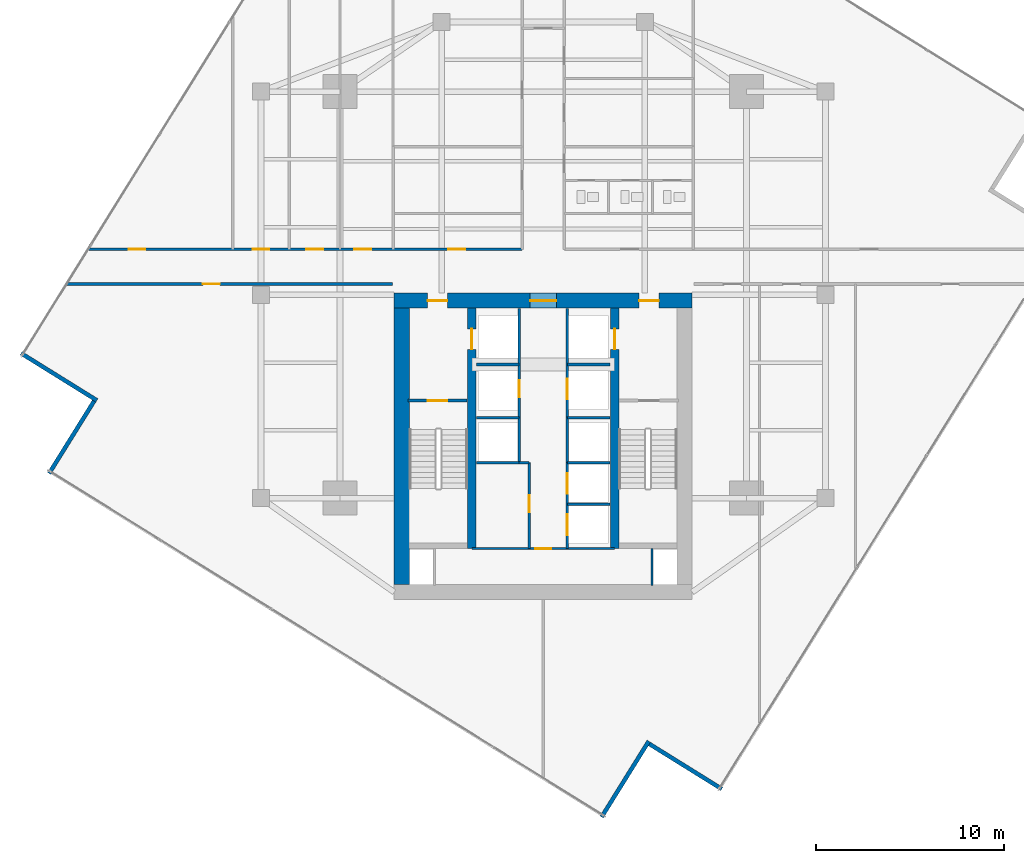
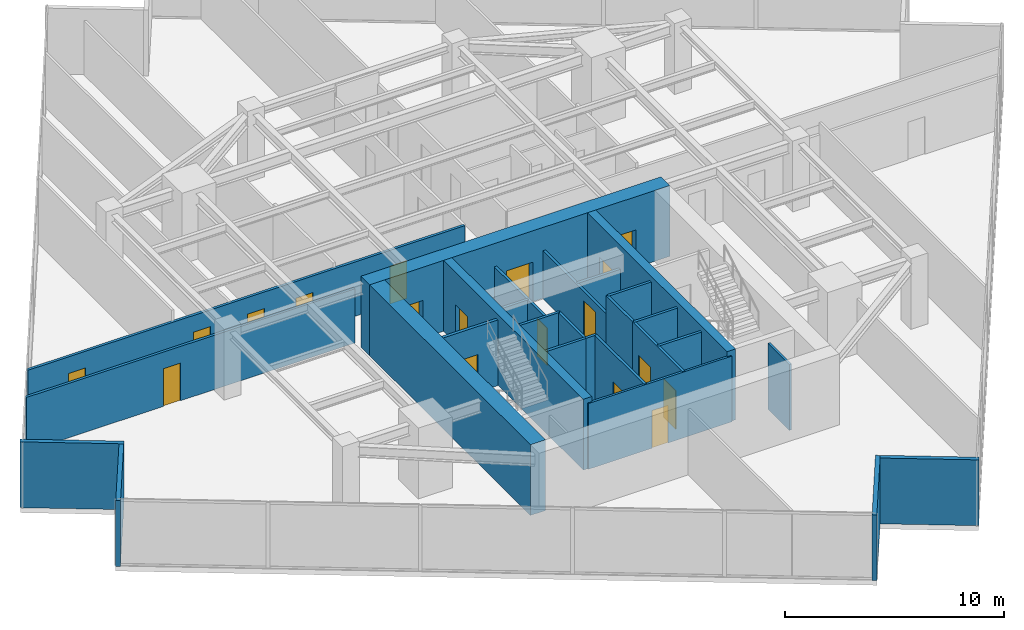
# One storey, part 21 of 25: 27 walls, 18 doors, 18 openings.
"""IFC4 building model written with IfcOpenShell, lengths in metres."""

from ifc_helpers import new_model, si_unit, direction, frame, frame_2d, origin, place, context, subcontext, project, spatial, rectangle, extrude, material, layer, layer_set, type_object, element, fill, save


model = new_model("IFC4")

# Units and contexts
model_context = context("Model", 3, precision=1e-05, world=origin(), true_north=direction((0.0, 1.0)))
body_context = subcontext(model_context, "Body", "Model", "MODEL_VIEW")
ifc_project = project(units=[si_unit("LENGTHUNIT", "METRE"), si_unit("AREAUNIT", "SQUARE_METRE"), si_unit("VOLUMEUNIT", "CUBIC_METRE"), si_unit("PLANEANGLEUNIT", "RADIAN"), si_unit("MASSUNIT", "GRAM", prefix="KILO")], contexts=[model_context])

# Site, building, storey
site_placement = place(None, origin())
site = spatial("IfcSite", under=ifc_project, at=site_placement, CompositionType="ELEMENT")
building_placement = place(site_placement, origin())
building = spatial("IfcBuilding", under=site, at=building_placement, Name="Krantzveldt Concourse Tower", CompositionType="ELEMENT")
storey_placement = place(building_placement, frame((0.0, 0.0, 177.800048828125)))
storey = spatial("IfcBuildingStorey", under=building, at=storey_placement, Name="L43", CompositionType="ELEMENT", Elevation=177.800048828125)

# Walls
ifc_material_1 = material(Name="Anodised aluminium 6063-T6", Category="aluminium")
ifc_layer_1 = layer(ifc_material_1, 0.219970703125, Name="Anodised aluminium 6063-T6", Category="aluminium")
ifc_layer_set_1 = layer_set([ifc_layer_1], Name="Anodised aluminium 6063-T6 (WL-EXT-NOTCH220)")
wall_type_1 = type_object("IfcWallType", Name="WL-EXT-NOTCH220", PredefinedType="ELEMENTEDWALL", material=ifc_layer_set_1)
wall_1_placement = place(storey_placement, frame((8.2509765625, 23.59521484375, 0.0), z_axis=(0.0, 0.0, 1.0), x_axis=(0.84921299194, -0.528050465694, 0.0)))
element("IfcWall", 1, at=wall_1_placement, inside=storey, type_object=wall_type_1, Name="EW-L43-NCH02", PredefinedType="ELEMENTEDWALL", context=body_context, shape_type="SweptSolid", body=[
    extrude(rectangle(XDim=4.7451171875, YDim=0.219970703125, at=frame_2d((2.37255859375, 0.0))), origin(), (0.0, 0.0, 1.0), 3.669921875),
])
wall_2_placement = place(storey_placement, frame((12.12890625, 21.05419921875, 0.0), z_axis=(0.0, 0.0, 1.0), x_axis=(-0.528038242514, -0.849220592333, 0.0)))
element("IfcWall", 2, at=wall_2_placement, inside=storey, type_object=wall_type_1, Name="EW-L43-NCH03", PredefinedType="ELEMENTEDWALL", context=body_context, shape_type="SweptSolid", body=[
    extrude(rectangle(XDim=4.525146484375, YDim=0.219970703125, at=frame_2d((2.2626953125, 0.0))), origin(), (0.0, 0.0, 1.0), 3.669921875),
])
wall_3_placement = place(storey_placement, frame((39.104736328125, -1.049072265625, 0.0), z_axis=(0.0, 0.0, 1.0), x_axis=(0.528087569346, 0.849189919336, 0.0)))
element("IfcWall", 3, at=wall_3_placement, inside=storey, type_object=wall_type_1, Name="EW-L43-NCH05", PredefinedType="ELEMENTEDWALL", context=body_context, shape_type="SweptSolid", body=[
    extrude(rectangle(XDim=4.7451171875, YDim=0.219970703125, at=frame_2d((2.37255859375, 0.0))), origin(), (0.0, 0.0, 1.0), 3.669921875),
])
wall_4_placement = place(storey_placement, frame((41.645751953125, 2.828857421875, 0.0), z_axis=(0.0, 0.0, 1.0), x_axis=(0.849220592333, -0.528038242514, 0.0)))
element("IfcWall", 4, at=wall_4_placement, inside=storey, type_object=wall_type_1, Name="EW-L43-NCH06", PredefinedType="ELEMENTEDWALL", context=body_context, shape_type="SweptSolid", body=[
    extrude(rectangle(XDim=4.525146484375, YDim=0.219970703125, at=frame_2d((2.2626953125, 0.0))), origin(), (0.0, 0.0, 1.0), 3.669921875),
])

# Wall, opening, door
ifc_material_2 = material(Name="Fire-rated gypsum plasterboard on steel stud", Category="steel")
ifc_layer_2 = layer(ifc_material_2, 0.1201171875, Name="Fire-rated gypsum plasterboard on steel stud", Category="steel")
ifc_layer_set_2 = layer_set([ifc_layer_2], Name="Fire-rated gypsum plasterboard on steel stud (WL-PART-120)")
wall_type_2 = type_object("IfcWallType", Name="WL-PART-120", PredefinedType="PARTITIONING", material=ifc_layer_set_2)
wall_5_placement = place(storey_placement, frame((32.2099609375, 13.219970703125, 0.0), z_axis=(0.0, 0.0, 1.0), x_axis=(1.0, 0.0, 0.0)))
wall_5 = element("IfcWall", 5, at=wall_5_placement, inside=storey, type_object=wall_type_2, Name="WP-L43-CS2H", PredefinedType="PARTITIONING", context=body_context, shape_type="SweptSolid", body=[
    extrude(rectangle(XDim=7.580078125, YDim=0.1201171875, at=frame_2d((3.7900390625, 0.0))), origin(), (0.0, 0.0, 1.0), 3.669921875),
])
opening_1_placement = place(wall_5_placement, frame((3.364990234375, 0.0, 0.0)))
opening_1 = element("IfcOpeningElement", 6, at=opening_1_placement, cuts=wall_5, Name="Opening D-IN085", PredefinedType="OPENING", context=body_context, shape_type="SweptSolid", body=[
    extrude(rectangle(XDim=0.85009765625, YDim=2.10009765625, at=frame_2d((0.425048828125, 1.050048828125))), frame((0.0, 0.070068359375, 0.0), z_axis=(0.0, -1.0, 0.0), x_axis=(1.0, 0.0, 0.0)), (0.0, 0.0, 1.0), 0.14013671875),
])
ifc_material_3 = material(Name="Hardwood timber", Category="wood")
door_type_1 = type_object("IfcDoorType", Name="DR-INT-850", OperationType="SINGLE_SWING_LEFT", PredefinedType="DOOR", material=ifc_material_3)
door_1_placement = place(opening_1_placement, origin())
door_1 = element("IfcDoor", 7, at=door_1_placement, inside=storey, type_object=door_type_1, Name="DR-L43-CSC1", OperationType="SINGLE_SWING_RIGHT", OverallHeight=2.10009765625, OverallWidth=0.85009765625, PredefinedType="DOOR", context=body_context, shape_type="SweptSolid", body=[
    extrude(rectangle(XDim=0.85009765625, YDim=2.10009765625, at=frame_2d((0.425048828125, 1.050048828125))), frame((0.0, 0.02490234375, 0.0), z_axis=(0.0, -1.0, 0.0), x_axis=(1.0, 0.0, 0.0)), (0.0, 0.0, 1.0), 0.050048828125),
])
fill(opening_1, door_1)

# Wall, openings, doors
ifc_layer_3 = layer(ifc_material_2, 0.139892578125, Name="Fire-rated gypsum plasterboard on steel stud", Category="steel")
ifc_layer_set_3 = layer_set([ifc_layer_3], Name="Fire-rated gypsum plasterboard on steel stud (WL-PART-140)")
wall_type_3 = type_object("IfcWallType", Name="WL-PART-140", PredefinedType="PARTITIONING", material=ifc_layer_set_3)
wall_6_placement = place(storey_placement, frame((11.822021484375, 29.1201171875, 0.0), z_axis=(0.0, 0.0, 1.0), x_axis=(1.0, 0.0, 0.0)))
wall_6 = element("IfcWall", 8, at=wall_6_placement, inside=storey, type_object=wall_type_3, Name="WP-L43-EWNL", PredefinedType="PARTITIONING", context=body_context, shape_type="SweptSolid", body=[
    extrude(rectangle(XDim=23.057861328125, YDim=0.139892578125, at=frame_2d((11.52880859375, 0.0))), origin(), (0.0, 0.0, 1.0), 3.030029296875),
])
opening_2_placement = place(wall_6_placement, frame((19.128173828125, 0.0, 0.0)))
opening_2 = element("IfcOpeningElement", 9, at=opening_2_placement, cuts=wall_6, Name="Opening D-IN090", PredefinedType="OPENING", context=body_context, shape_type="SweptSolid", body=[
    extrude(rectangle(XDim=0.89990234375, YDim=2.10009765625, at=frame_2d((0.449951171875, 1.050048828125))), frame((0.0, 0.080078125, 0.0), z_axis=(0.0, -1.0, 0.0), x_axis=(1.0, 0.0, 0.0)), (0.0, 0.0, 1.0), 0.159912109375),
])
opening_3_placement = place(wall_6_placement, frame((2.13720703125, 0.0, 0.0)))
opening_3 = element("IfcOpeningElement", 10, at=opening_3_placement, cuts=wall_6, Name="Opening D-IN090", PredefinedType="OPENING", context=body_context, shape_type="SweptSolid", body=[
    extrude(rectangle(XDim=0.89990234375, YDim=2.10009765625, at=frame_2d((0.449951171875, 1.050048828125))), frame((0.0, 0.080078125, 0.0), z_axis=(0.0, -1.0, 0.0), x_axis=(1.0, 0.0, 0.0)), (0.0, 0.0, 1.0), 0.159912109375),
])
opening_4_placement = place(wall_6_placement, frame((8.72802734375, 0.0, 0.0)))
opening_4 = element("IfcOpeningElement", 11, at=opening_4_placement, cuts=wall_6, Name="Opening D-IN090", PredefinedType="OPENING", context=body_context, shape_type="SweptSolid", body=[
    extrude(rectangle(XDim=0.89990234375, YDim=2.10009765625, at=frame_2d((0.449951171875, 1.050048828125))), frame((0.0, 0.080078125, 0.0), z_axis=(0.0, -1.0, 0.0), x_axis=(1.0, 0.0, 0.0)), (0.0, 0.0, 1.0), 0.159912109375),
])
opening_5_placement = place(wall_6_placement, frame((11.578125, 0.0, 0.0)))
opening_5 = element("IfcOpeningElement", 12, at=opening_5_placement, cuts=wall_6, Name="Opening D-IN090", PredefinedType="OPENING", context=body_context, shape_type="SweptSolid", body=[
    extrude(rectangle(XDim=0.89990234375, YDim=2.10009765625, at=frame_2d((0.449951171875, 1.050048828125))), frame((0.0, 0.080078125, 0.0), z_axis=(0.0, -1.0, 0.0), x_axis=(1.0, 0.0, 0.0)), (0.0, 0.0, 1.0), 0.159912109375),
])
opening_6_placement = place(wall_6_placement, frame((14.128173828125, 0.0, 0.0)))
opening_6 = element("IfcOpeningElement", 13, at=opening_6_placement, cuts=wall_6, Name="Opening D-IN090", PredefinedType="OPENING", context=body_context, shape_type="SweptSolid", body=[
    extrude(rectangle(XDim=0.89990234375, YDim=2.10009765625, at=frame_2d((0.449951171875, 1.050048828125))), frame((0.0, 0.080078125, 0.0), z_axis=(0.0, -1.0, 0.0), x_axis=(1.0, 0.0, 0.0)), (0.0, 0.0, 1.0), 0.159912109375),
])
door_type_2 = type_object("IfcDoorType", Name="DR-INT-900", OperationType="SINGLE_SWING_LEFT", PredefinedType="DOOR", material=ifc_material_3)
door_2_placement = place(opening_2_placement, origin())
door_2 = element("IfcDoor", 14, at=door_2_placement, inside=storey, type_object=door_type_2, Name="DR-L43-ALCL", OperationType="SINGLE_SWING_LEFT", OverallHeight=2.10009765625, OverallWidth=0.89990234375, PredefinedType="DOOR", context=body_context, shape_type="SweptSolid", body=[
    extrude(rectangle(XDim=0.89990234375, YDim=2.10009765625, at=frame_2d((0.449951171875, 1.050048828125))), frame((0.0, 0.02490234375, 0.0), z_axis=(0.0, -1.0, 0.0), x_axis=(1.0, 0.0, 0.0)), (0.0, 0.0, 1.0), 0.050048828125),
])
fill(opening_2, door_2)
door_3_placement = place(opening_3_placement, origin())
door_3 = element("IfcDoor", 15, at=door_3_placement, inside=storey, type_object=door_type_2, Name="DR-L43-NWX1", OperationType="SINGLE_SWING_LEFT", OverallHeight=2.10009765625, OverallWidth=0.89990234375, PredefinedType="DOOR", context=body_context, shape_type="SweptSolid", body=[
    extrude(rectangle(XDim=0.89990234375, YDim=2.10009765625, at=frame_2d((0.449951171875, 1.050048828125))), frame((0.0, 0.02490234375, 0.0), z_axis=(0.0, -1.0, 0.0), x_axis=(1.0, 0.0, 0.0)), (0.0, 0.0, 1.0), 0.050048828125),
])
fill(opening_3, door_3)
door_4_placement = place(opening_4_placement, origin())
door_4 = element("IfcDoor", 16, at=door_4_placement, inside=storey, type_object=door_type_2, Name="DR-L43-NWX2", OperationType="SINGLE_SWING_LEFT", OverallHeight=2.10009765625, OverallWidth=0.89990234375, PredefinedType="DOOR", context=body_context, shape_type="SweptSolid", body=[
    extrude(rectangle(XDim=0.89990234375, YDim=2.10009765625, at=frame_2d((0.449951171875, 1.050048828125))), frame((0.0, 0.02490234375, 0.0), z_axis=(0.0, -1.0, 0.0), x_axis=(1.0, 0.0, 0.0)), (0.0, 0.0, 1.0), 0.050048828125),
])
fill(opening_4, door_4)
door_5_placement = place(opening_5_placement, origin())
door_5 = element("IfcDoor", 17, at=door_5_placement, inside=storey, type_object=door_type_2, Name="DR-L43-NWX3", OperationType="SINGLE_SWING_LEFT", OverallHeight=2.10009765625, OverallWidth=0.89990234375, PredefinedType="DOOR", context=body_context, shape_type="SweptSolid", body=[
    extrude(rectangle(XDim=0.89990234375, YDim=2.10009765625, at=frame_2d((0.449951171875, 1.050048828125))), frame((0.0, 0.02490234375, 0.0), z_axis=(0.0, -1.0, 0.0), x_axis=(1.0, 0.0, 0.0)), (0.0, 0.0, 1.0), 0.050048828125),
])
fill(opening_5, door_5)
door_6_placement = place(opening_6_placement, origin())
door_6 = element("IfcDoor", 18, at=door_6_placement, inside=storey, type_object=door_type_2, Name="DR-L43-NWX4", OperationType="SINGLE_SWING_LEFT", OverallHeight=2.10009765625, OverallWidth=0.89990234375, PredefinedType="DOOR", context=body_context, shape_type="SweptSolid", body=[
    extrude(rectangle(XDim=0.89990234375, YDim=2.10009765625, at=frame_2d((0.449951171875, 1.050048828125))), frame((0.0, 0.02490234375, 0.0), z_axis=(0.0, -1.0, 0.0), x_axis=(1.0, 0.0, 0.0)), (0.0, 0.0, 1.0), 0.050048828125),
])
fill(opening_6, door_6)

# Wall, opening, door
wall_7_placement = place(storey_placement, frame((10.677734375, 27.280029296875, 0.0), z_axis=(0.0, 0.0, 1.0), x_axis=(1.0, 0.0, 0.0)))
wall_7 = element("IfcWall", 19, at=wall_7_placement, inside=storey, type_object=wall_type_3, Name="WP-L43-EWSL", PredefinedType="PARTITIONING", context=body_context, shape_type="SweptSolid", body=[
    extrude(rectangle(XDim=17.322265625, YDim=0.139892578125, at=frame_2d((8.6611328125, 0.0))), origin(), (0.0, 0.0, 1.0), 3.030029296875),
])
opening_7_placement = place(wall_7_placement, frame((7.231201171875, 0.0, 0.0)))
opening_7 = element("IfcOpeningElement", 20, at=opening_7_placement, cuts=wall_7, Name="Opening D-IN090", PredefinedType="OPENING", context=body_context, shape_type="SweptSolid", body=[
    extrude(rectangle(XDim=0.89990234375, YDim=2.10009765625, at=frame_2d((0.449951171875, 1.050048828125))), frame((0.0, 0.080078125, 0.0), z_axis=(0.0, -1.0, 0.0), x_axis=(1.0, 0.0, 0.0)), (0.0, 0.0, 1.0), 0.159912109375),
])
door_7_placement = place(opening_7_placement, origin())
door_7 = element("IfcDoor", 21, at=door_7_placement, inside=storey, type_object=door_type_2, Name="DR-L43-SWX1", OperationType="SINGLE_SWING_LEFT", OverallHeight=2.10009765625, OverallWidth=0.89990234375, PredefinedType="DOOR", context=body_context, shape_type="SweptSolid", body=[
    extrude(rectangle(XDim=0.89990234375, YDim=2.10009765625, at=frame_2d((0.449951171875, 1.050048828125))), frame((0.0, 0.02490234375, 0.0), z_axis=(0.0, -1.0, 0.0), x_axis=(1.0, 0.0, 0.0)), (0.0, 0.0, 1.0), 0.050048828125),
])
fill(opening_7, door_7)

ifc_layer_4 = layer(ifc_material_2, 0.139892578125, Name="Fire-rated gypsum plasterboard on steel stud", Category="steel")
ifc_layer_set_4 = layer_set([ifc_layer_4], Name="Fire-rated gypsum plasterboard on steel stud (WL-PART-FR140)")
wall_type_4 = type_object("IfcWallType", Name="WL-PART-FR140", PredefinedType="PARTITIONING", material=ifc_layer_set_4)
wall_8_placement = place(storey_placement, frame((34.719970703125, 20.199951171875, 0.0), z_axis=(0.0, 0.0, 1.0), x_axis=(0.0, 1.0, 0.0)))
wall_8 = element("IfcWall", 22, at=wall_8_placement, inside=storey, type_object=wall_type_4, Name="WP-L43-SHNW", PredefinedType="PARTITIONING", context=body_context, shape_type="SweptSolid", body=[
    extrude(rectangle(XDim=5.780029296875, YDim=0.139892578125, at=frame_2d((2.89013671875, 0.0))), origin(), (0.0, 0.0, 1.0), 2.669921875),
])
opening_8_placement = place(wall_8_placement, frame((1.050048828125, 0.0, 0.0)))
opening_8 = element("IfcOpeningElement", 23, at=opening_8_placement, cuts=wall_8, Name="Opening D-FD090", PredefinedType="OPENING", context=body_context, shape_type="SweptSolid", body=[
    extrude(rectangle(XDim=0.89990234375, YDim=2.10009765625, at=frame_2d((0.449951171875, 1.050048828125))), frame((0.0, 0.080078125, 0.0), z_axis=(0.0, -1.0, 0.0), x_axis=(1.0, 0.0, 0.0)), (0.0, 0.0, 1.0), 0.159912109375),
])
door_type_3 = type_object("IfcDoorType", Name="DR-FD60-900", OperationType="SINGLE_SWING_LEFT", PredefinedType="DOOR", material=ifc_material_3)
door_8_placement = place(opening_8_placement, origin())
door_8 = element("IfcDoor", 24, at=door_8_placement, inside=storey, type_object=door_type_3, Name="Electrical Riser Access Door L43", OperationType="SINGLE_SWING_LEFT", OverallHeight=2.10009765625, OverallWidth=0.89990234375, PredefinedType="DOOR", context=body_context, shape_type="SweptSolid", body=[
    extrude(rectangle(XDim=0.89990234375, YDim=2.10009765625, at=frame_2d((0.449951171875, 1.050048828125))), frame((0.0, 0.02490234375, 0.0), z_axis=(0.0, -1.0, 0.0), x_axis=(1.0, 0.0, 0.0)), (0.0, 0.0, 1.0), 0.050048828125),
])
fill(opening_8, door_8)

wall_9_placement = place(storey_placement, frame((37.280029296875, 20.199951171875, 0.0), z_axis=(0.0, 0.0, 1.0), x_axis=(0.0, 1.0, 0.0)))
wall_9 = element("IfcWall", 25, at=wall_9_placement, inside=storey, type_object=wall_type_4, Name="WP-L43-SHNE", PredefinedType="PARTITIONING", context=body_context, shape_type="SweptSolid", body=[
    extrude(rectangle(XDim=5.780029296875, YDim=0.139892578125, at=frame_2d((2.89013671875, 0.0))), origin(), (0.0, 0.0, 1.0), 2.669921875),
])
opening_9_placement = place(wall_9_placement, frame((0.949951171875, 0.0, 0.0)))
opening_9 = element("IfcOpeningElement", 26, at=opening_9_placement, cuts=wall_9, Name="Opening LD", PredefinedType="OPENING", context=body_context, shape_type="SweptSolid", body=[
    extrude(rectangle(XDim=1.10009765625, YDim=2.14990234375, at=frame_2d((0.550048828125, 1.074951171875))), frame((0.0, 0.080078125, 0.0), z_axis=(0.0, -1.0, 0.0), x_axis=(1.0, 0.0, 0.0)), (0.0, 0.0, 1.0), 0.159912109375),
])
ifc_material_4 = material(Name="Stainless steel 316L", Category="steel")
door_type_4 = type_object("IfcDoorType", Name="DR-SLIDE-LD1100", OperationType="DOUBLE_DOOR_SLIDING", PredefinedType="DOOR", material=ifc_material_4)
door_9_placement = place(opening_9_placement, origin())
door_9 = element("IfcDoor", 27, at=door_9_placement, inside=storey, type_object=door_type_4, Name="LD-L43-GL1", OperationType="DOUBLE_DOOR_SLIDING", OverallHeight=2.14990234375, OverallWidth=1.10009765625, PredefinedType="DOOR", context=body_context, shape_type="SweptSolid", body=[
    extrude(rectangle(XDim=1.10009765625, YDim=2.14990234375, at=frame_2d((0.550048828125, 1.074951171875))), frame((0.0, 0.02490234375, 0.0), z_axis=(0.0, -1.0, 0.0), x_axis=(1.0, 0.0, 0.0)), (0.0, 0.0, 1.0), 0.050048828125),
])
fill(opening_9, door_9)

# Walls
for number, where, z_axis, x_axis, name in (
    (28, (32.449951171875, 23.0, 0.0), (0.0, 0.0, 1.0), (1.0, 0.0, 0.0), "WP-L43-RISH"),
    (29, (37.280029296875, 23.0, 0.0), (0.0, 0.0, 1.0), (1.0, 0.0, 0.0), "WP-L43-GLH"),
):
    element("IfcWall", number, at=place(storey_placement, frame(where, z_axis=z_axis, x_axis=x_axis)), inside=storey, type_object=wall_type_4, Name=name, PredefinedType="PARTITIONING", context=body_context, shape_type="SweptSolid", body=[
        extrude(rectangle(XDim=2.27001953125, YDim=0.139892578125, at=frame_2d((1.135009765625, 0.0))), origin(), (0.0, 0.0, 1.0), 2.669921875),
    ])
for number, where, z_axis, x_axis, name in (
    (30, (34.719970703125, 17.780029296875, 0.0), (0.0, 0.0, 1.0), (0.0, 1.0, 0.0), "WP-L43-SHNW2"),
    (31, (37.280029296875, 17.780029296875, 0.0), (0.0, 0.0, 1.0), (0.0, 1.0, 0.0), "WP-L43-SHNE2"),
):
    element("IfcWall", number, at=place(storey_placement, frame(where, z_axis=z_axis, x_axis=x_axis)), inside=storey, type_object=wall_type_4, Name=name, PredefinedType="PARTITIONING", context=body_context, shape_type="SweptSolid", body=[
        extrude(rectangle(XDim=2.419921875, YDim=0.139892578125, at=frame_2d((1.2099609375, 0.0))), origin(), (0.0, 0.0, 1.0), 3.669921875),
    ])
for number, where, z_axis, x_axis, name in (
    (32, (32.449951171875, 17.780029296875, 0.0), (0.0, 0.0, 1.0), (1.0, 0.0, 0.0), "WP-L43-DIVW2"),
    (33, (32.449951171875, 20.179931640625, 0.0), (0.0, 0.0, 1.0), (1.0, 0.0, 0.0), "WP-L43-DIVW3"),
    (34, (37.280029296875, 17.780029296875, 0.0), (0.0, 0.0, 1.0), (1.0, 0.0, 0.0), "WP-L43-DIVE2"),
    (35, (37.280029296875, 20.179931640625, 0.0), (0.0, 0.0, 1.0), (1.0, 0.0, 0.0), "WP-L43-DIVE3"),
):
    element("IfcWall", number, at=place(storey_placement, frame(where, z_axis=z_axis, x_axis=x_axis)), inside=storey, type_object=wall_type_4, Name=name, PredefinedType="PARTITIONING", context=body_context, shape_type="SweptSolid", body=[
        extrude(rectangle(XDim=2.27001953125, YDim=0.139892578125, at=frame_2d((1.135009765625, 0.0))), origin(), (0.0, 0.0, 1.0), 3.669921875),
    ])

# Wall, opening, door
wall_10_placement = place(storey_placement, frame((35.25, 13.219970703125, 0.0), z_axis=(0.0, 0.0, 1.0), x_axis=(0.0, 1.0, 0.0)))
wall_10 = element("IfcWall", 36, at=wall_10_placement, inside=storey, type_object=wall_type_4, Name="WP-L43-RECW", PredefinedType="PARTITIONING", context=body_context, shape_type="SweptSolid", body=[
    extrude(rectangle(XDim=4.56005859375, YDim=0.139892578125, at=frame_2d((2.280029296875, 0.0))), origin(), (0.0, 0.0, 1.0), 3.669921875),
])
opening_10_placement = place(wall_10_placement, frame((1.929931640625, 0.0, 0.0)))
opening_10 = element("IfcOpeningElement", 37, at=opening_10_placement, cuts=wall_10, Name="Opening D-FD090", PredefinedType="OPENING", context=body_context, shape_type="SweptSolid", body=[
    extrude(rectangle(XDim=0.89990234375, YDim=2.10009765625, at=frame_2d((0.449951171875, 1.050048828125))), frame((0.0, 0.080078125, 0.0), z_axis=(0.0, -1.0, 0.0), x_axis=(1.0, 0.0, 0.0)), (0.0, 0.0, 1.0), 0.159912109375),
])
door_10_placement = place(opening_10_placement, origin())
door_10 = element("IfcDoor", 38, at=door_10_placement, inside=storey, type_object=door_type_3, Name="DR-L43-RECW", OperationType="SINGLE_SWING_LEFT", OverallHeight=2.10009765625, OverallWidth=0.89990234375, PredefinedType="DOOR", context=body_context, shape_type="SweptSolid", body=[
    extrude(rectangle(XDim=0.89990234375, YDim=2.10009765625, at=frame_2d((0.449951171875, 1.050048828125))), frame((0.0, 0.02490234375, 0.0), z_axis=(0.0, -1.0, 0.0), x_axis=(1.0, 0.0, 0.0)), (0.0, 0.0, 1.0), 0.050048828125),
])
fill(opening_10, door_10)

# Wall
wall_11_placement = place(storey_placement, frame((34.719970703125, 17.780029296875, 0.0), z_axis=(0.0, 0.0, 1.0), x_axis=(1.0, 0.0, 0.0)))
element("IfcWall", 39, at=wall_11_placement, inside=storey, type_object=wall_type_4, Name="WP-L43-RECWN", PredefinedType="PARTITIONING", context=body_context, shape_type="SweptSolid", body=[
    extrude(rectangle(XDim=0.530029296875, YDim=0.139892578125, at=frame_2d((0.26513671875, 0.0))), origin(), (0.0, 0.0, 1.0), 3.669921875),
])

# Wall, openings, doors
wall_12_placement = place(storey_placement, frame((37.280029296875, 13.219970703125, 0.0), z_axis=(0.0, 0.0, 1.0), x_axis=(0.0, 1.0, 0.0)))
wall_12 = element("IfcWall", 40, at=wall_12_placement, inside=storey, type_object=wall_type_4, Name="WP-L43-SHSE", PredefinedType="PARTITIONING", context=body_context, shape_type="SweptSolid", body=[
    extrude(rectangle(XDim=4.56005859375, YDim=0.139892578125, at=frame_2d((2.280029296875, 0.0))), origin(), (0.0, 0.0, 1.0), 3.669921875),
])
opening_11_placement = place(wall_12_placement, frame((0.7099609375, 0.0, 0.0)))
opening_11 = element("IfcOpeningElement", 41, at=opening_11_placement, cuts=wall_12, Name="Opening LD", PredefinedType="OPENING", context=body_context, shape_type="SweptSolid", body=[
    extrude(rectangle(XDim=1.10009765625, YDim=2.14990234375, at=frame_2d((0.550048828125, 1.074951171875))), frame((0.0, 0.080078125, 0.0), z_axis=(0.0, -1.0, 0.0), x_axis=(1.0, 0.0, 0.0)), (0.0, 0.0, 1.0), 0.159912109375),
])
opening_12_placement = place(wall_12_placement, frame((2.909912109375, 0.0, 0.0)))
opening_12 = element("IfcOpeningElement", 42, at=opening_12_placement, cuts=wall_12, Name="Opening LD", PredefinedType="OPENING", context=body_context, shape_type="SweptSolid", body=[
    extrude(rectangle(XDim=1.10009765625, YDim=2.14990234375, at=frame_2d((0.550048828125, 1.074951171875))), frame((0.0, 0.080078125, 0.0), z_axis=(0.0, -1.0, 0.0), x_axis=(1.0, 0.0, 0.0)), (0.0, 0.0, 1.0), 0.159912109375),
])
door_11_placement = place(opening_11_placement, origin())
door_11 = element("IfcDoor", 43, at=door_11_placement, inside=storey, type_object=door_type_4, Name="LD-L43-PM1", OperationType="DOUBLE_DOOR_SLIDING", OverallHeight=2.14990234375, OverallWidth=1.10009765625, PredefinedType="DOOR", context=body_context, shape_type="SweptSolid", body=[
    extrude(rectangle(XDim=1.10009765625, YDim=2.14990234375, at=frame_2d((0.550048828125, 1.074951171875))), frame((0.0, 0.02490234375, 0.0), z_axis=(0.0, -1.0, 0.0), x_axis=(1.0, 0.0, 0.0)), (0.0, 0.0, 1.0), 0.050048828125),
])
fill(opening_11, door_11)
door_12_placement = place(opening_12_placement, origin())
door_12 = element("IfcDoor", 44, at=door_12_placement, inside=storey, type_object=door_type_4, Name="LD-L43-PM2", OperationType="DOUBLE_DOOR_SLIDING", OverallHeight=2.14990234375, OverallWidth=1.10009765625, PredefinedType="DOOR", context=body_context, shape_type="SweptSolid", body=[
    extrude(rectangle(XDim=1.10009765625, YDim=2.14990234375, at=frame_2d((0.550048828125, 1.074951171875))), frame((0.0, 0.02490234375, 0.0), z_axis=(0.0, -1.0, 0.0), x_axis=(1.0, 0.0, 0.0)), (0.0, 0.0, 1.0), 0.050048828125),
])
fill(opening_12, door_12)

# Walls
wall_13_placement = place(storey_placement, frame((37.280029296875, 15.580078125, 0.0), z_axis=(0.0, 0.0, 1.0), x_axis=(1.0, 0.0, 0.0)))
element("IfcWall", 45, at=wall_13_placement, inside=storey, type_object=wall_type_4, Name="WP-L43-DIVE1", PredefinedType="PARTITIONING", context=body_context, shape_type="SweptSolid", body=[
    extrude(rectangle(XDim=2.27001953125, YDim=0.139892578125, at=frame_2d((1.135009765625, 0.0))), origin(), (0.0, 0.0, 1.0), 3.669921875),
])
wall_14_placement = place(storey_placement, frame((41.780029296875, 11.25, 0.0), z_axis=(0.0, 0.0, 1.0), x_axis=(0.0, 1.0, 0.0)))
element("IfcWall", 46, at=wall_14_placement, inside=storey, type_object=wall_type_4, Name="WP-L43-RSE", PredefinedType="PARTITIONING", context=body_context, shape_type="SweptSolid", body=[
    extrude(rectangle(XDim=1.969970703125, YDim=0.1201171875, at=frame_2d((0.98486328125, 0.0))), origin(), (0.0, 0.0, 1.0), 3.669921875),
])

# Wall, opening, door
ifc_layer_5 = layer(ifc_material_2, 0.159912109375, Name="Fire-rated gypsum plasterboard on steel stud", Category="steel")
ifc_layer_set_5 = layer_set([ifc_layer_5], Name="Fire-rated gypsum plasterboard on steel stud (WL-PART-FR160)")
wall_type_5 = type_object("IfcWallType", Name="WL-PART-FR160", PredefinedType="PARTITIONING", material=ifc_layer_set_5)
wall_15_placement = place(storey_placement, frame((28.800048828125, 21.080078125, 0.0), z_axis=(0.0, 0.0, 1.0), x_axis=(1.0, 0.0, 0.0)))
wall_15 = element("IfcWall", 47, at=wall_15_placement, inside=storey, type_object=wall_type_5, Name="WP-L43-ST1", PredefinedType="PARTITIONING", context=body_context, shape_type="SweptSolid", body=[
    extrude(rectangle(XDim=3.159912109375, YDim=0.159912109375, at=frame_2d((1.580078125, 0.0))), origin(), (0.0, 0.0, 1.0), 3.669921875),
])
opening_13_placement = place(wall_15_placement, frame((1.054931640625, 0.0, 0.0)))
opening_13 = element("IfcOpeningElement", 48, at=opening_13_placement, cuts=wall_15, Name="Opening D-FD105", PredefinedType="OPENING", context=body_context, shape_type="SweptSolid", body=[
    extrude(rectangle(XDim=1.050048828125, YDim=2.10009765625, at=frame_2d((0.52490234375, 1.050048828125))), frame((0.0, 0.08984375, 0.0), z_axis=(0.0, -1.0, 0.0), x_axis=(1.0, 0.0, 0.0)), (0.0, 0.0, 1.0), 0.179931640625),
])
ifc_material_5 = material(Name="Galvanised steel", Category="steel")
door_type_5 = type_object("IfcDoorType", Name="DR-FD120-1050", OperationType="SINGLE_SWING_LEFT", PredefinedType="DOOR", material=ifc_material_5)
door_13_placement = place(opening_13_placement, origin())
door_13 = element("IfcDoor", 49, at=door_13_placement, inside=storey, type_object=door_type_5, Name="DR-L43-ST1", OperationType="SINGLE_SWING_RIGHT", OverallHeight=2.10009765625, OverallWidth=1.050048828125, PredefinedType="DOOR", context=body_context, shape_type="SweptSolid", body=[
    extrude(rectangle(XDim=1.050048828125, YDim=2.10009765625, at=frame_2d((0.52490234375, 1.050048828125))), frame((0.0, 0.02490234375, 0.0), z_axis=(0.0, -1.0, 0.0), x_axis=(1.0, 0.0, 0.0)), (0.0, 0.0, 1.0), 0.050048828125),
])
fill(opening_13, door_13)

ifc_material_6 = material(Name="Concrete C50/60", Category="concrete")
ifc_layer_6 = layer(ifc_material_6, 0.449951171875, Name="Concrete C50/60", Category="concrete")
ifc_layer_set_6 = layer_set([ifc_layer_6], Name="Concrete C50/60 (WL-SHEAR-450)")
wall_type_6 = type_object("IfcWallType", Name="WL-SHEAR-450", PredefinedType="SHEAR", material=ifc_layer_set_6)
wall_16_placement = place(storey_placement, frame((32.205078125, 13.219970703125, 0.0), z_axis=(0.0, 0.0, 1.0), x_axis=(0.0, 1.0, 0.0)))
wall_16 = element("IfcWall", 50, at=wall_16_placement, inside=storey, type_object=wall_type_6, Name="CW-L43-IW", PredefinedType="SHEAR", context=body_context, shape_type="SweptSolid", body=[
    extrude(rectangle(XDim=12.780029296875, YDim=0.449951171875, at=frame_2d((6.39013671875, 0.0))), origin(), (0.0, 0.0, 1.0), 3.949951171875),
])
opening_14_placement = place(wall_16_placement, frame((10.580078125, 0.0, 0.0)))
opening_14 = element("IfcOpeningElement", 51, at=opening_14_placement, cuts=wall_16, Name="Opening LD", PredefinedType="OPENING", context=body_context, shape_type="SweptSolid", body=[
    extrude(rectangle(XDim=1.10009765625, YDim=2.14990234375, at=frame_2d((0.550048828125, 1.074951171875))), frame((0.0, 0.23486328125, 0.0), z_axis=(0.0, -1.0, 0.0), x_axis=(1.0, 0.0, 0.0)), (0.0, 0.0, 1.0), 0.469970703125),
])
door_14_placement = place(opening_14_placement, origin())
door_14 = element("IfcDoor", 52, at=door_14_placement, inside=storey, type_object=door_type_4, Name="LD-L43-FL1", OperationType="DOUBLE_DOOR_SLIDING", OverallHeight=2.14990234375, OverallWidth=1.10009765625, PredefinedType="DOOR", context=body_context, shape_type="SweptSolid", body=[
    extrude(rectangle(XDim=1.10009765625, YDim=2.14990234375, at=frame_2d((0.550048828125, 1.074951171875))), frame((0.0, 0.02490234375, 0.0), z_axis=(0.0, -1.0, 0.0), x_axis=(1.0, 0.0, 0.0)), (0.0, 0.0, 1.0), 0.050048828125),
])
fill(opening_14, door_14)

wall_17_placement = place(storey_placement, frame((39.794921875, 13.219970703125, 0.0), z_axis=(0.0, 0.0, 1.0), x_axis=(0.0, 1.0, 0.0)))
wall_17 = element("IfcWall", 53, at=wall_17_placement, inside=storey, type_object=wall_type_6, Name="CW-L43-IE", PredefinedType="SHEAR", context=body_context, shape_type="SweptSolid", body=[
    extrude(rectangle(XDim=12.780029296875, YDim=0.449951171875, at=frame_2d((6.39013671875, 0.0))), origin(), (0.0, 0.0, 1.0), 3.949951171875),
])
opening_15_placement = place(wall_17_placement, frame((10.580078125, 0.0, 0.0)))
opening_15 = element("IfcOpeningElement", 54, at=opening_15_placement, cuts=wall_17, Name="Opening LD", PredefinedType="OPENING", context=body_context, shape_type="SweptSolid", body=[
    extrude(rectangle(XDim=1.10009765625, YDim=2.14990234375, at=frame_2d((0.550048828125, 1.074951171875))), frame((0.0, 0.23486328125, 0.0), z_axis=(0.0, -1.0, 0.0), x_axis=(1.0, 0.0, 0.0)), (0.0, 0.0, 1.0), 0.469970703125),
])
door_15_placement = place(opening_15_placement, origin())
door_15 = element("IfcDoor", 55, at=door_15_placement, inside=storey, type_object=door_type_4, Name="LD-L43-FL2", OperationType="DOUBLE_DOOR_SLIDING", OverallHeight=2.14990234375, OverallWidth=1.10009765625, PredefinedType="DOOR", context=body_context, shape_type="SweptSolid", body=[
    extrude(rectangle(XDim=1.10009765625, YDim=2.14990234375, at=frame_2d((0.550048828125, 1.074951171875))), frame((0.0, 0.02490234375, 0.0), z_axis=(0.0, -1.0, 0.0), x_axis=(1.0, 0.0, 0.0)), (0.0, 0.0, 1.0), 0.050048828125),
])
fill(opening_15, door_15)

# Wall, openings, doors
ifc_material_7 = material(Name="Concrete C60/75", Category="concrete")
ifc_layer_7 = layer(ifc_material_7, 0.800048828125, Name="Concrete C60/75", Category="concrete")
ifc_layer_set_7 = layer_set([ifc_layer_7], Name="Concrete C60/75 (WL-SHEAR-800)")
wall_type_7 = type_object("IfcWallType", Name="WL-SHEAR-800", PredefinedType="SHEAR", material=ifc_layer_set_7)
wall_18_placement = place(storey_placement, frame((28.080078125, 26.39990234375, 0.0), z_axis=(0.0, 0.0, 1.0), x_axis=(1.0, 0.0, 0.0)))
wall_18 = element("IfcWall", 56, at=wall_18_placement, inside=storey, type_object=wall_type_7, Name="CW-L43-N", PredefinedType="SHEAR", context=body_context, shape_type="SweptSolid", body=[
    extrude(rectangle(XDim=15.83984375, YDim=0.800048828125, at=frame_2d((7.919921875, 0.0))), origin(), (0.0, 0.0, 1.0), 3.949951171875),
])
opening_16_placement = place(wall_18_placement, frame((7.219970703125, 0.0, 0.0)))
opening_16 = element("IfcOpeningElement", 57, at=opening_16_placement, cuts=wall_18, Name="Opening D-DB140", PredefinedType="OPENING", context=body_context, shape_type="SweptSolid", body=[
    extrude(rectangle(XDim=1.39990234375, YDim=2.199951171875, at=frame_2d((0.699951171875, 1.10009765625))), frame((0.0, 0.41015625, 0.0), z_axis=(0.0, -1.0, 0.0), x_axis=(1.0, 0.0, 0.0)), (0.0, 0.0, 1.0), 0.820068359375),
])
opening_17_placement = place(wall_18_placement, frame((1.77490234375, 0.0, 0.0)))
opening_17 = element("IfcOpeningElement", 58, at=opening_17_placement, cuts=wall_18, Name="Opening D-FD105", PredefinedType="OPENING", context=body_context, shape_type="SweptSolid", body=[
    extrude(rectangle(XDim=1.050048828125, YDim=2.10009765625, at=frame_2d((0.52490234375, 1.050048828125))), frame((0.0, 0.41015625, 0.0), z_axis=(0.0, -1.0, 0.0), x_axis=(1.0, 0.0, 0.0)), (0.0, 0.0, 1.0), 0.820068359375),
])
opening_18_placement = place(wall_18_placement, frame((13.014892578125, 0.0, 0.0)))
opening_18 = element("IfcOpeningElement", 59, at=opening_18_placement, cuts=wall_18, Name="Opening D-FD105", PredefinedType="OPENING", context=body_context, shape_type="SweptSolid", body=[
    extrude(rectangle(XDim=1.050048828125, YDim=2.10009765625, at=frame_2d((0.52490234375, 1.050048828125))), frame((0.0, 0.41015625, 0.0), z_axis=(0.0, -1.0, 0.0), x_axis=(1.0, 0.0, 0.0)), (0.0, 0.0, 1.0), 0.820068359375),
])
door_type_6 = type_object("IfcDoorType", Name="DR-DBL-1400", OperationType="DOUBLE_DOOR_SINGLE_SWING", PredefinedType="DOOR", material=ifc_material_1)
door_16_placement = place(opening_16_placement, origin())
door_16 = element("IfcDoor", 60, at=door_16_placement, inside=storey, type_object=door_type_6, Name="DR-L43-LLB", OperationType="DOUBLE_DOOR_SINGLE_SWING", OverallHeight=2.199951171875, OverallWidth=1.39990234375, PredefinedType="DOOR", context=body_context, shape_type="SweptSolid", body=[
    extrude(rectangle(XDim=1.39990234375, YDim=2.199951171875, at=frame_2d((0.699951171875, 1.10009765625))), frame((0.0, 0.02490234375, 0.0), z_axis=(0.0, -1.0, 0.0), x_axis=(1.0, 0.0, 0.0)), (0.0, 0.0, 1.0), 0.050048828125),
])
fill(opening_16, door_16)
door_17_placement = place(opening_17_placement, origin())
door_17 = element("IfcDoor", 61, at=door_17_placement, inside=storey, type_object=door_type_5, Name="DR-L43-FFL1", OperationType="SINGLE_SWING_LEFT", OverallHeight=2.10009765625, OverallWidth=1.050048828125, PredefinedType="DOOR", context=body_context, shape_type="SweptSolid", body=[
    extrude(rectangle(XDim=1.050048828125, YDim=2.10009765625, at=frame_2d((0.52490234375, 1.050048828125))), frame((0.0, 0.02490234375, 0.0), z_axis=(0.0, -1.0, 0.0), x_axis=(1.0, 0.0, 0.0)), (0.0, 0.0, 1.0), 0.050048828125),
])
fill(opening_17, door_17)
door_18_placement = place(opening_18_placement, origin())
door_18 = element("IfcDoor", 62, at=door_18_placement, inside=storey, type_object=door_type_5, Name="DR-L43-FFL2", OperationType="SINGLE_SWING_RIGHT", OverallHeight=2.10009765625, OverallWidth=1.050048828125, PredefinedType="DOOR", context=body_context, shape_type="SweptSolid", body=[
    extrude(rectangle(XDim=1.050048828125, YDim=2.10009765625, at=frame_2d((0.52490234375, 1.050048828125))), frame((0.0, 0.02490234375, 0.0), z_axis=(0.0, -1.0, 0.0), x_axis=(1.0, 0.0, 0.0)), (0.0, 0.0, 1.0), 0.050048828125),
])
fill(opening_18, door_18)

# Wall
wall_19_placement = place(storey_placement, frame((28.47998046875, 11.300048828125, 0.0), z_axis=(0.0, 0.0, 1.0), x_axis=(0.0, 1.0, 0.0)))
element("IfcWall", 63, at=wall_19_placement, inside=storey, type_object=wall_type_7, Name="CW-L43-W", PredefinedType="SHEAR", context=body_context, shape_type="SweptSolid", body=[
    extrude(rectangle(XDim=14.699951171875, YDim=0.800048828125, at=frame_2d((7.35009765625, 0.0))), origin(), (0.0, 0.0, 1.0), 3.949951171875),
])

save(model, "model.ifc")
